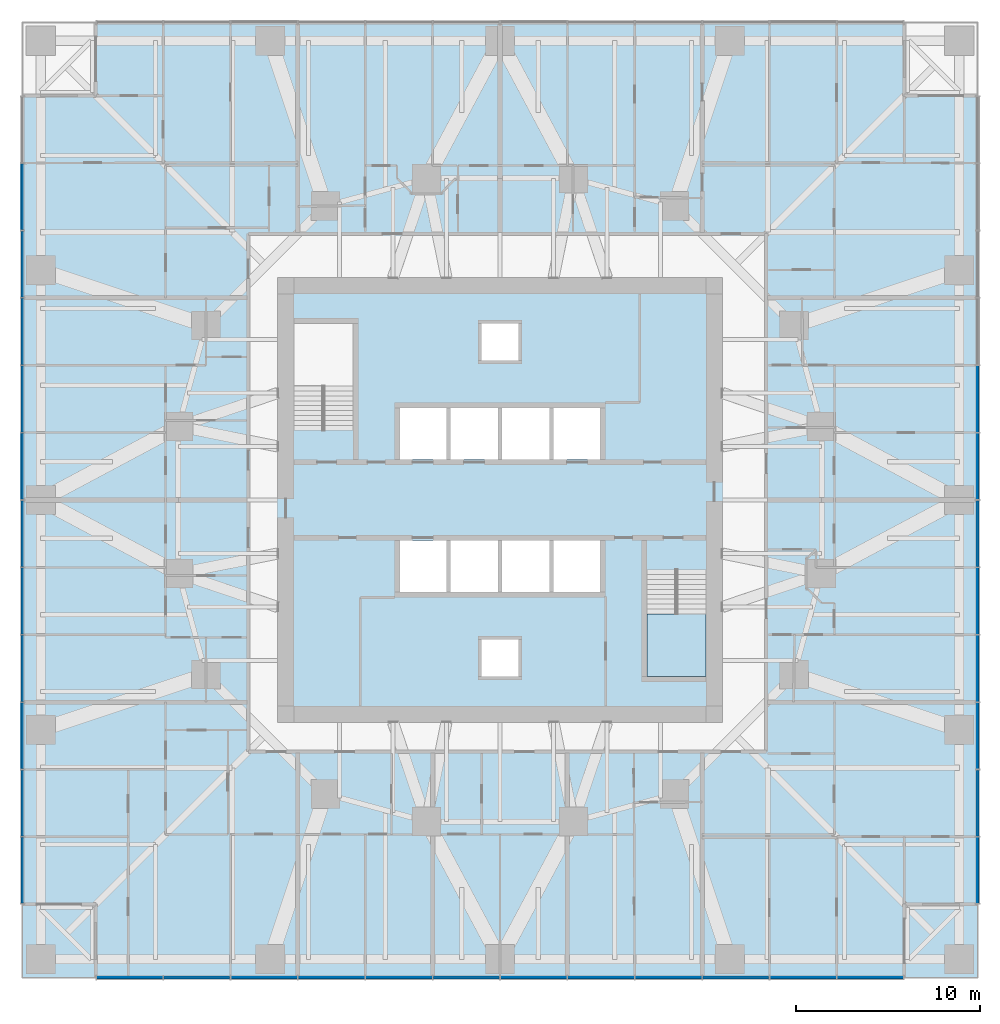
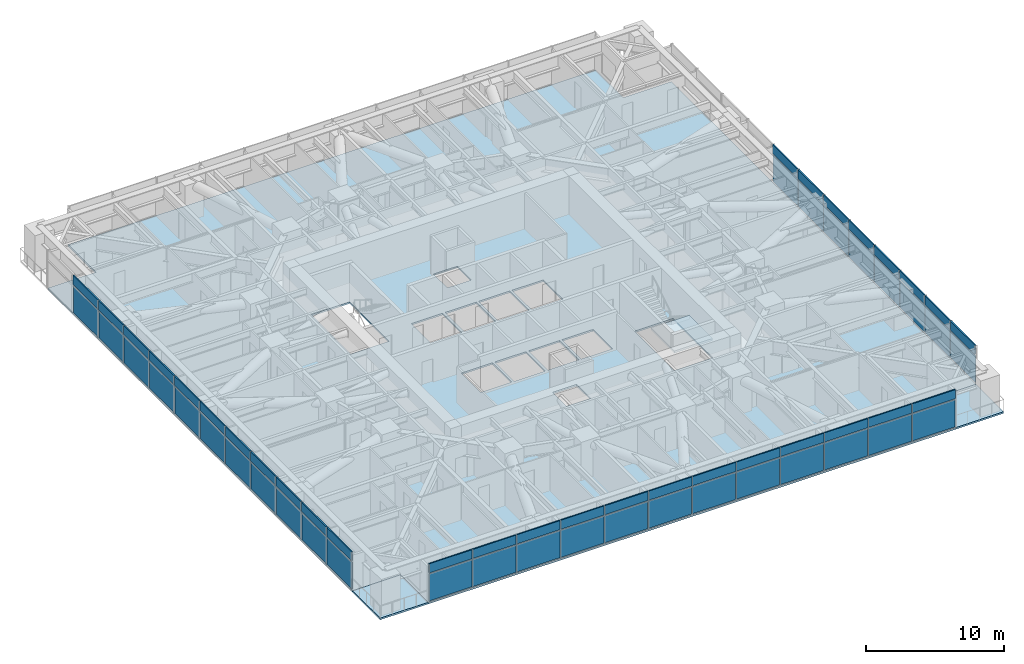
# One storey, part 8 of 17: 62 plates, 4 slabs, 4 elements without a shape of their own.
"""IFC4 building model written with IfcOpenShell, lengths in metres."""

from ifc_helpers import new_model, si_unit, direction, frame, origin, origin_2d, place, context, subcontext, project, spatial, polyline, rectangle, outline, extrude, material, layer, layer_set, type_object, element, aggregate, save


model = new_model("IFC4")

# Units and contexts
model_context = context("Model", 3, precision=1e-05, world=origin(), true_north=direction((0.0, 1.0)))
body_context = subcontext(model_context, "Body", "Model", "MODEL_VIEW")
ifc_project = project(units=[si_unit("LENGTHUNIT", "METRE"), si_unit("AREAUNIT", "SQUARE_METRE"), si_unit("VOLUMEUNIT", "CUBIC_METRE"), si_unit("PLANEANGLEUNIT", "RADIAN"), si_unit("MASSUNIT", "GRAM", prefix="KILO")], contexts=[model_context])

# Site, building, storey
site_placement = place(None, origin())
site = spatial("IfcSite", under=ifc_project, at=site_placement, CompositionType="ELEMENT")
building_placement = place(site_placement, origin())
building = spatial("IfcBuilding", under=site, at=building_placement, Name="Torsade Residences", CompositionType="ELEMENT")
storey_placement = place(building_placement, frame((0.0, 0.0, 38.800048828125)))
storey = spatial("IfcBuildingStorey", under=building, at=storey_placement, Name="L10", CompositionType="ELEMENT", Elevation=38.800048828125)

# Slab
ifc_material_1 = material(Name="Concrete 40 MPa", Category="concrete")
ifc_layer_1 = layer(ifc_material_1, 0.14990234375)
ifc_layer_set_1 = layer_set([ifc_layer_1], Name="Concrete 40 MPa")
slab_type_1 = type_object("IfcSlabType", Name="COMPOSITE FLOOR SLAB 150", PredefinedType="FLOOR", material=ifc_layer_set_1)
slab_1_placement = place(storey_placement, frame((0.0, 0.0, -0.150146484375)))
element("IfcSlab", 1, at=slab_1_placement, inside=storey, type_object=slab_type_1, Name="Floor slab L10", PredefinedType="FLOOR", context=body_context, shape_type="SweptSolid", body=[
    extrude(outline(polyline([(18.0, 4.0), (62.0, 4.0), (62.0, 8.0), (66.0, 8.0), (66.0, 52.0), (62.0, 52.0), (62.0, 56.0), (18.0, 56.0), (18.0, 52.0), (14.0, 52.0), (14.0, 8.0), (18.0, 8.0), (18.0, 4.0)]), holes=[polyline([(51.199951171875, 20.39990234375), (51.199951171875, 26.1201171875), (48.0, 26.1201171875), (48.0, 20.39990234375), (51.199951171875, 20.39990234375)]), polyline([(45.5, 27.800048828125), (42.89990234375, 27.800048828125), (42.89990234375, 25.0), (45.5, 25.0), (45.5, 27.800048828125)]), polyline([(45.5, 32.199951171875), (45.5, 35.0), (42.89990234375, 35.0), (42.89990234375, 32.199951171875), (45.5, 32.199951171875)]), polyline([(42.699951171875, 25.0), (42.699951171875, 27.800048828125), (40.10009765625, 27.800048828125), (40.10009765625, 25.0), (42.699951171875, 25.0)]), polyline([(42.699951171875, 32.199951171875), (42.699951171875, 35.0), (40.10009765625, 35.0), (40.10009765625, 32.199951171875), (42.699951171875, 32.199951171875)]), polyline([(41.0, 22.39990234375), (39.0, 22.39990234375), (39.0, 20.39990234375), (41.0, 20.39990234375), (41.0, 22.39990234375)]), polyline([(41.0, 37.60009765625), (41.0, 39.60009765625), (39.0, 39.60009765625), (39.0, 37.60009765625), (41.0, 37.60009765625)]), polyline([(39.89990234375, 25.0), (39.89990234375, 27.800048828125), (37.300048828125, 27.800048828125), (37.300048828125, 25.0), (39.89990234375, 25.0)]), polyline([(39.89990234375, 35.0), (37.300048828125, 35.0), (37.300048828125, 32.199951171875), (39.89990234375, 32.199951171875), (39.89990234375, 35.0)]), polyline([(37.10009765625, 27.800048828125), (34.5, 27.800048828125), (34.5, 25.0), (37.10009765625, 25.0), (37.10009765625, 27.800048828125)]), polyline([(37.10009765625, 32.199951171875), (37.10009765625, 35.0), (34.5, 35.0), (34.5, 32.199951171875), (37.10009765625, 32.199951171875)]), polyline([(32.0, 33.8798828125), (32.0, 39.60009765625), (28.800048828125, 39.60009765625), (28.800048828125, 33.8798828125), (32.0, 33.8798828125)])]), origin(), (0.0, 0.0, 1.0), 0.150146484375),
])

# Curtain wall, plates
ifc_material_2 = material(Name="Aluminium and glass", Category="aluminium")
curtain_wall_type = type_object("IfcCurtainWallType", Name="FRITTED GLASS CURTAIN WALL LOW ZONE", PredefinedType="NOTDEFINED", material=ifc_material_2)
curtain_wall_1_placement = place(storey_placement, origin())
curtain_wall_1 = element("IfcCurtainWall", 2, at=curtain_wall_1_placement, inside=storey, type_object=curtain_wall_type, Name="Curtain wall L10 face 1", PredefinedType="NOTDEFINED")
ifc_material_3 = material(Name="Laminated glass", Category="glass")
ifc_layer_2 = layer(ifc_material_3, 0.031982421875)
ifc_layer_set_2 = layer_set([ifc_layer_2], Name="Laminated glass")
plate_type_1 = type_object("IfcPlateType", Name="FRITTED GLASS PANEL", PredefinedType="CURTAIN_PANEL", material=ifc_layer_set_2)
plate_1_placement = place(storey_placement, frame((19.849609375, 4.0, 0.10009765625), z_axis=(0.0, 0.0, 1.0), x_axis=(1.0, 0.0, 0.0)))
plate_1 = element("IfcPlate", 3, at=plate_1_placement, type_object=plate_type_1, Name="Panel 1", PredefinedType="CURTAIN_PANEL", context=body_context, shape_type="SweptSolid", body=[
    extrude(rectangle(XDim=3.569091796875, YDim=0.031982421875, at=origin_2d()), origin(), (0.0, 0.0, 1.0), 2.39990234375),
])
plate_2_placement = place(storey_placement, frame((27.166748046875, 4.0, 0.10009765625), z_axis=(0.0, 0.0, 1.0), x_axis=(1.0, 0.0, 0.0)))
plate_2 = element("IfcPlate", 4, at=plate_2_placement, type_object=plate_type_1, Name="Panel 3", PredefinedType="CURTAIN_PANEL", context=body_context, shape_type="SweptSolid", body=[
    extrude(rectangle(XDim=3.6015625, YDim=0.031982421875, at=origin_2d()), origin(), (0.0, 0.0, 1.0), 2.39990234375),
])
plate_3_placement = place(storey_placement, frame((30.833251953125, 4.0, 0.10009765625), z_axis=(0.0, 0.0, 1.0), x_axis=(1.0, 0.0, 0.0)))
plate_3 = element("IfcPlate", 5, at=plate_3_placement, type_object=plate_type_1, Name="Panel 4", PredefinedType="CURTAIN_PANEL", context=body_context, shape_type="SweptSolid", body=[
    extrude(rectangle(XDim=3.6015625, YDim=0.031982421875, at=origin_2d()), origin(), (0.0, 0.0, 1.0), 2.39990234375),
])
plate_4_placement = place(storey_placement, frame((34.5, 4.0, 0.10009765625), z_axis=(0.0, 0.0, 1.0), x_axis=(1.0, 0.0, 0.0)))
plate_4 = element("IfcPlate", 6, at=plate_4_placement, type_object=plate_type_1, Name="Panel 5", PredefinedType="CURTAIN_PANEL", context=body_context, shape_type="SweptSolid", body=[
    extrude(rectangle(XDim=3.6015625, YDim=0.031982421875, at=origin_2d()), origin(), (0.0, 0.0, 1.0), 2.39990234375),
])
plate_5_placement = place(storey_placement, frame((41.833251953125, 4.0, 0.10009765625), z_axis=(0.0, 0.0, 1.0), x_axis=(1.0, 0.0, 0.0)))
plate_5 = element("IfcPlate", 7, at=plate_5_placement, type_object=plate_type_1, Name="Panel 7", PredefinedType="CURTAIN_PANEL", context=body_context, shape_type="SweptSolid", body=[
    extrude(rectangle(XDim=3.6015625, YDim=0.031982421875, at=origin_2d()), origin(), (0.0, 0.0, 1.0), 2.39990234375),
])
plate_6_placement = place(storey_placement, frame((45.5, 4.0, 0.10009765625), z_axis=(0.0, 0.0, 1.0), x_axis=(1.0, 0.0, 0.0)))
plate_6 = element("IfcPlate", 8, at=plate_6_placement, type_object=plate_type_1, Name="Panel 8", PredefinedType="CURTAIN_PANEL", context=body_context, shape_type="SweptSolid", body=[
    extrude(rectangle(XDim=3.6015625, YDim=0.031982421875, at=origin_2d()), origin(), (0.0, 0.0, 1.0), 2.39990234375),
])
plate_7_placement = place(storey_placement, frame((49.166748046875, 4.0, 0.10009765625), z_axis=(0.0, 0.0, 1.0), x_axis=(1.0, 0.0, 0.0)))
plate_7 = element("IfcPlate", 9, at=plate_7_placement, type_object=plate_type_1, Name="Panel 9", PredefinedType="CURTAIN_PANEL", context=body_context, shape_type="SweptSolid", body=[
    extrude(rectangle(XDim=3.6015625, YDim=0.031982421875, at=origin_2d()), origin(), (0.0, 0.0, 1.0), 2.39990234375),
])
plate_8_placement = place(storey_placement, frame((56.5, 4.0, 0.10009765625), z_axis=(0.0, 0.0, 1.0), x_axis=(1.0, 0.0, 0.0)))
plate_8 = element("IfcPlate", 10, at=plate_8_placement, type_object=plate_type_1, Name="Panel 11", PredefinedType="CURTAIN_PANEL", context=body_context, shape_type="SweptSolid", body=[
    extrude(rectangle(XDim=3.6015625, YDim=0.031982421875, at=origin_2d()), origin(), (0.0, 0.0, 1.0), 2.39990234375),
])
plate_9_placement = place(storey_placement, frame((60.150390625, 4.0, 0.10009765625), z_axis=(0.0, 0.0, 1.0), x_axis=(1.0, 0.0, 0.0)))
plate_9 = element("IfcPlate", 11, at=plate_9_placement, type_object=plate_type_1, Name="Panel 12", PredefinedType="CURTAIN_PANEL", context=body_context, shape_type="SweptSolid", body=[
    extrude(rectangle(XDim=3.569091796875, YDim=0.031982421875, at=origin_2d()), origin(), (0.0, 0.0, 1.0), 2.39990234375),
])

curtain_wall_2_placement = place(storey_placement, origin())
curtain_wall_2 = element("IfcCurtainWall", 12, at=curtain_wall_2_placement, inside=storey, type_object=curtain_wall_type, Name="Curtain wall L10 face 4", PredefinedType="NOTDEFINED")
plate_10_placement = place(storey_placement, frame((66.0, 9.849609375, 0.10009765625), z_axis=(0.0, 0.0, 1.0), x_axis=(0.0, 1.0, 0.0)))
plate_10 = element("IfcPlate", 13, at=plate_10_placement, type_object=plate_type_1, Name="Panel 1", PredefinedType="CURTAIN_PANEL", context=body_context, shape_type="SweptSolid", body=[
    extrude(rectangle(XDim=3.569091796875, YDim=0.031982421875, at=origin_2d()), origin(), (0.0, 0.0, 1.0), 2.39990234375),
])
plate_11_placement = place(storey_placement, frame((66.0, 17.166748046875, 0.10009765625), z_axis=(0.0, 0.0, 1.0), x_axis=(0.0, 1.0, 0.0)))
plate_11 = element("IfcPlate", 14, at=plate_11_placement, type_object=plate_type_1, Name="Panel 3", PredefinedType="CURTAIN_PANEL", context=body_context, shape_type="SweptSolid", body=[
    extrude(rectangle(XDim=3.6015625, YDim=0.031982421875, at=origin_2d()), origin(), (0.0, 0.0, 1.0), 2.39990234375),
])
plate_12_placement = place(storey_placement, frame((66.0, 20.833251953125, 0.10009765625), z_axis=(0.0, 0.0, 1.0), x_axis=(0.0, 1.0, 0.0)))
plate_12 = element("IfcPlate", 15, at=plate_12_placement, type_object=plate_type_1, Name="Panel 4", PredefinedType="CURTAIN_PANEL", context=body_context, shape_type="SweptSolid", body=[
    extrude(rectangle(XDim=3.6015625, YDim=0.031982421875, at=origin_2d()), origin(), (0.0, 0.0, 1.0), 2.39990234375),
])
plate_13_placement = place(storey_placement, frame((66.0, 24.5, 0.10009765625), z_axis=(0.0, 0.0, 1.0), x_axis=(0.0, 1.0, 0.0)))
plate_13 = element("IfcPlate", 16, at=plate_13_placement, type_object=plate_type_1, Name="Panel 5", PredefinedType="CURTAIN_PANEL", context=body_context, shape_type="SweptSolid", body=[
    extrude(rectangle(XDim=3.6015625, YDim=0.031982421875, at=origin_2d()), origin(), (0.0, 0.0, 1.0), 2.39990234375),
])
plate_14_placement = place(storey_placement, frame((66.0, 31.833251953125, 0.10009765625), z_axis=(0.0, 0.0, 1.0), x_axis=(0.0, 1.0, 0.0)))
plate_14 = element("IfcPlate", 17, at=plate_14_placement, type_object=plate_type_1, Name="Panel 7", PredefinedType="CURTAIN_PANEL", context=body_context, shape_type="SweptSolid", body=[
    extrude(rectangle(XDim=3.6015625, YDim=0.031982421875, at=origin_2d()), origin(), (0.0, 0.0, 1.0), 2.39990234375),
])
plate_15_placement = place(storey_placement, frame((66.0, 35.5, 0.10009765625), z_axis=(0.0, 0.0, 1.0), x_axis=(0.0, 1.0, 0.0)))
plate_15 = element("IfcPlate", 18, at=plate_15_placement, type_object=plate_type_1, Name="Panel 8", PredefinedType="CURTAIN_PANEL", context=body_context, shape_type="SweptSolid", body=[
    extrude(rectangle(XDim=3.6015625, YDim=0.031982421875, at=origin_2d()), origin(), (0.0, 0.0, 1.0), 2.39990234375),
])

curtain_wall_3_placement = place(storey_placement, origin())
curtain_wall_3 = element("IfcCurtainWall", 19, at=curtain_wall_3_placement, inside=storey, type_object=curtain_wall_type, Name="Curtain wall L10 face 10", PredefinedType="NOTDEFINED")
plate_16_placement = place(storey_placement, frame((14.0, 42.833251953125, 0.10009765625), z_axis=(0.0, 0.0, 1.0), x_axis=(0.0, -1.0, 0.0)))
plate_16 = element("IfcPlate", 20, at=plate_16_placement, type_object=plate_type_1, Name="Panel 3", PredefinedType="CURTAIN_PANEL", context=body_context, shape_type="SweptSolid", body=[
    extrude(rectangle(XDim=3.6015625, YDim=0.031982421875, at=origin_2d()), origin(), (0.0, 0.0, 1.0), 2.39990234375),
])
plate_17_placement = place(storey_placement, frame((14.0, 39.166748046875, 0.10009765625), z_axis=(0.0, 0.0, 1.0), x_axis=(0.0, -1.0, 0.0)))
plate_17 = element("IfcPlate", 21, at=plate_17_placement, type_object=plate_type_1, Name="Panel 4", PredefinedType="CURTAIN_PANEL", context=body_context, shape_type="SweptSolid", body=[
    extrude(rectangle(XDim=3.6015625, YDim=0.031982421875, at=origin_2d()), origin(), (0.0, 0.0, 1.0), 2.39990234375),
])
plate_18_placement = place(storey_placement, frame((14.0, 35.5, 0.10009765625), z_axis=(0.0, 0.0, 1.0), x_axis=(0.0, -1.0, 0.0)))
plate_18 = element("IfcPlate", 22, at=plate_18_placement, type_object=plate_type_1, Name="Panel 5", PredefinedType="CURTAIN_PANEL", context=body_context, shape_type="SweptSolid", body=[
    extrude(rectangle(XDim=3.6015625, YDim=0.031982421875, at=origin_2d()), origin(), (0.0, 0.0, 1.0), 2.39990234375),
])
plate_19_placement = place(storey_placement, frame((14.0, 28.166748046875, 0.10009765625), z_axis=(0.0, 0.0, 1.0), x_axis=(0.0, -1.0, 0.0)))
plate_19 = element("IfcPlate", 23, at=plate_19_placement, type_object=plate_type_1, Name="Panel 7", PredefinedType="CURTAIN_PANEL", context=body_context, shape_type="SweptSolid", body=[
    extrude(rectangle(XDim=3.6015625, YDim=0.031982421875, at=origin_2d()), origin(), (0.0, 0.0, 1.0), 2.39990234375),
])
plate_20_placement = place(storey_placement, frame((14.0, 24.5, 0.10009765625), z_axis=(0.0, 0.0, 1.0), x_axis=(0.0, -1.0, 0.0)))
plate_20 = element("IfcPlate", 24, at=plate_20_placement, type_object=plate_type_1, Name="Panel 8", PredefinedType="CURTAIN_PANEL", context=body_context, shape_type="SweptSolid", body=[
    extrude(rectangle(XDim=3.6015625, YDim=0.031982421875, at=origin_2d()), origin(), (0.0, 0.0, 1.0), 2.39990234375),
])
plate_21_placement = place(storey_placement, frame((14.0, 20.833251953125, 0.10009765625), z_axis=(0.0, 0.0, 1.0), x_axis=(0.0, -1.0, 0.0)))
plate_21 = element("IfcPlate", 25, at=plate_21_placement, type_object=plate_type_1, Name="Panel 9", PredefinedType="CURTAIN_PANEL", context=body_context, shape_type="SweptSolid", body=[
    extrude(rectangle(XDim=3.6015625, YDim=0.031982421875, at=origin_2d()), origin(), (0.0, 0.0, 1.0), 2.39990234375),
])
plate_22_placement = place(storey_placement, frame((14.0, 13.5, 0.10009765625), z_axis=(0.0, 0.0, 1.0), x_axis=(0.0, -1.0, 0.0)))
plate_22 = element("IfcPlate", 26, at=plate_22_placement, type_object=plate_type_1, Name="Panel 11", PredefinedType="CURTAIN_PANEL", context=body_context, shape_type="SweptSolid", body=[
    extrude(rectangle(XDim=3.6015625, YDim=0.031982421875, at=origin_2d()), origin(), (0.0, 0.0, 1.0), 2.39990234375),
])
plate_23_placement = place(storey_placement, frame((14.0, 9.849609375, 0.10009765625), z_axis=(0.0, 0.0, 1.0), x_axis=(0.0, -1.0, 0.0)))
plate_23 = element("IfcPlate", 27, at=plate_23_placement, type_object=plate_type_1, Name="Panel 12", PredefinedType="CURTAIN_PANEL", context=body_context, shape_type="SweptSolid", body=[
    extrude(rectangle(XDim=3.569091796875, YDim=0.031982421875, at=origin_2d()), origin(), (0.0, 0.0, 1.0), 2.39990234375),
])

# Plate
ifc_material_4 = material(Name="Aluminium composite spandrel panel", Category="aluminium")
ifc_layer_3 = layer(ifc_material_4, 0.10009765625)
ifc_layer_set_3 = layer_set([ifc_layer_3], Name="Aluminium composite spandrel panel")
plate_type_2 = type_object("IfcPlateType", Name="OPAQUE SPANDREL PANEL", PredefinedType="CURTAIN_PANEL", material=ifc_layer_set_3)
plate_24_placement = place(storey_placement, frame((19.849609375, 4.0, 2.60009765625), z_axis=(0.0, 0.0, 1.0), x_axis=(1.0, 0.0, 0.0)))
plate_24 = element("IfcPlate", 28, at=plate_24_placement, type_object=plate_type_2, Name="Spandrel panel 1", PredefinedType="CURTAIN_PANEL", context=body_context, shape_type="SweptSolid", body=[
    extrude(rectangle(XDim=3.569091796875, YDim=0.10009765625, at=origin_2d()), origin(), (0.0, 0.0, 1.0), 0.800048828125),
])

plate_25_placement = place(storey_placement, frame((23.5, 4.0, 2.60009765625), z_axis=(0.0, 0.0, 1.0), x_axis=(1.0, 0.0, 0.0)))
plate_25 = element("IfcPlate", 29, at=plate_25_placement, type_object=plate_type_2, Name="Spandrel panel 2", PredefinedType="CURTAIN_PANEL", context=body_context, shape_type="SweptSolid", body=[
    extrude(rectangle(XDim=3.6015625, YDim=0.10009765625, at=origin_2d()), origin(), (0.0, 0.0, 1.0), 0.800048828125),
])

plate_26_placement = place(storey_placement, frame((27.166748046875, 4.0, 2.60009765625), z_axis=(0.0, 0.0, 1.0), x_axis=(1.0, 0.0, 0.0)))
plate_26 = element("IfcPlate", 30, at=plate_26_placement, type_object=plate_type_2, Name="Spandrel panel 3", PredefinedType="CURTAIN_PANEL", context=body_context, shape_type="SweptSolid", body=[
    extrude(rectangle(XDim=3.6015625, YDim=0.10009765625, at=origin_2d()), origin(), (0.0, 0.0, 1.0), 0.800048828125),
])

plate_27_placement = place(storey_placement, frame((30.833251953125, 4.0, 2.60009765625), z_axis=(0.0, 0.0, 1.0), x_axis=(1.0, 0.0, 0.0)))
plate_27 = element("IfcPlate", 31, at=plate_27_placement, type_object=plate_type_2, Name="Spandrel panel 4", PredefinedType="CURTAIN_PANEL", context=body_context, shape_type="SweptSolid", body=[
    extrude(rectangle(XDim=3.6015625, YDim=0.10009765625, at=origin_2d()), origin(), (0.0, 0.0, 1.0), 0.800048828125),
])

plate_28_placement = place(storey_placement, frame((34.5, 4.0, 2.60009765625), z_axis=(0.0, 0.0, 1.0), x_axis=(1.0, 0.0, 0.0)))
plate_28 = element("IfcPlate", 32, at=plate_28_placement, type_object=plate_type_2, Name="Spandrel panel 5", PredefinedType="CURTAIN_PANEL", context=body_context, shape_type="SweptSolid", body=[
    extrude(rectangle(XDim=3.6015625, YDim=0.10009765625, at=origin_2d()), origin(), (0.0, 0.0, 1.0), 0.800048828125),
])

plate_29_placement = place(storey_placement, frame((38.166748046875, 4.0, 2.60009765625), z_axis=(0.0, 0.0, 1.0), x_axis=(1.0, 0.0, 0.0)))
plate_29 = element("IfcPlate", 33, at=plate_29_placement, type_object=plate_type_2, Name="Spandrel panel 6", PredefinedType="CURTAIN_PANEL", context=body_context, shape_type="SweptSolid", body=[
    extrude(rectangle(XDim=3.6015625, YDim=0.10009765625, at=origin_2d()), origin(), (0.0, 0.0, 1.0), 0.800048828125),
])

plate_30_placement = place(storey_placement, frame((41.833251953125, 4.0, 2.60009765625), z_axis=(0.0, 0.0, 1.0), x_axis=(1.0, 0.0, 0.0)))
plate_30 = element("IfcPlate", 34, at=plate_30_placement, type_object=plate_type_2, Name="Spandrel panel 7", PredefinedType="CURTAIN_PANEL", context=body_context, shape_type="SweptSolid", body=[
    extrude(rectangle(XDim=3.6015625, YDim=0.10009765625, at=origin_2d()), origin(), (0.0, 0.0, 1.0), 0.800048828125),
])

plate_31_placement = place(storey_placement, frame((45.5, 4.0, 2.60009765625), z_axis=(0.0, 0.0, 1.0), x_axis=(1.0, 0.0, 0.0)))
plate_31 = element("IfcPlate", 35, at=plate_31_placement, type_object=plate_type_2, Name="Spandrel panel 8", PredefinedType="CURTAIN_PANEL", context=body_context, shape_type="SweptSolid", body=[
    extrude(rectangle(XDim=3.6015625, YDim=0.10009765625, at=origin_2d()), origin(), (0.0, 0.0, 1.0), 0.800048828125),
])

plate_32_placement = place(storey_placement, frame((49.166748046875, 4.0, 2.60009765625), z_axis=(0.0, 0.0, 1.0), x_axis=(1.0, 0.0, 0.0)))
plate_32 = element("IfcPlate", 36, at=plate_32_placement, type_object=plate_type_2, Name="Spandrel panel 9", PredefinedType="CURTAIN_PANEL", context=body_context, shape_type="SweptSolid", body=[
    extrude(rectangle(XDim=3.6015625, YDim=0.10009765625, at=origin_2d()), origin(), (0.0, 0.0, 1.0), 0.800048828125),
])

plate_33_placement = place(storey_placement, frame((52.833251953125, 4.0, 2.60009765625), z_axis=(0.0, 0.0, 1.0), x_axis=(1.0, 0.0, 0.0)))
plate_33 = element("IfcPlate", 37, at=plate_33_placement, type_object=plate_type_2, Name="Spandrel panel 10", PredefinedType="CURTAIN_PANEL", context=body_context, shape_type="SweptSolid", body=[
    extrude(rectangle(XDim=3.6015625, YDim=0.10009765625, at=origin_2d()), origin(), (0.0, 0.0, 1.0), 0.800048828125),
])

plate_34_placement = place(storey_placement, frame((56.5, 4.0, 2.60009765625), z_axis=(0.0, 0.0, 1.0), x_axis=(1.0, 0.0, 0.0)))
plate_34 = element("IfcPlate", 38, at=plate_34_placement, type_object=plate_type_2, Name="Spandrel panel 11", PredefinedType="CURTAIN_PANEL", context=body_context, shape_type="SweptSolid", body=[
    extrude(rectangle(XDim=3.6015625, YDim=0.10009765625, at=origin_2d()), origin(), (0.0, 0.0, 1.0), 0.800048828125),
])

plate_35_placement = place(storey_placement, frame((60.150390625, 4.0, 2.60009765625), z_axis=(0.0, 0.0, 1.0), x_axis=(1.0, 0.0, 0.0)))
plate_35 = element("IfcPlate", 39, at=plate_35_placement, type_object=plate_type_2, Name="Spandrel panel 12", PredefinedType="CURTAIN_PANEL", context=body_context, shape_type="SweptSolid", body=[
    extrude(rectangle(XDim=3.569091796875, YDim=0.10009765625, at=origin_2d()), origin(), (0.0, 0.0, 1.0), 0.800048828125),
])

plate_36_placement = place(storey_placement, frame((66.0, 9.849609375, 2.60009765625), z_axis=(0.0, 0.0, 1.0), x_axis=(0.0, 1.0, 0.0)))
plate_36 = element("IfcPlate", 40, at=plate_36_placement, type_object=plate_type_2, Name="Spandrel panel 1", PredefinedType="CURTAIN_PANEL", context=body_context, shape_type="SweptSolid", body=[
    extrude(rectangle(XDim=3.569091796875, YDim=0.10009765625, at=origin_2d()), origin(), (0.0, 0.0, 1.0), 0.800048828125),
])

plate_37_placement = place(storey_placement, frame((66.0, 13.5, 2.60009765625), z_axis=(0.0, 0.0, 1.0), x_axis=(0.0, 1.0, 0.0)))
plate_37 = element("IfcPlate", 41, at=plate_37_placement, type_object=plate_type_2, Name="Spandrel panel 2", PredefinedType="CURTAIN_PANEL", context=body_context, shape_type="SweptSolid", body=[
    extrude(rectangle(XDim=3.6015625, YDim=0.10009765625, at=origin_2d()), origin(), (0.0, 0.0, 1.0), 0.800048828125),
])

plate_38_placement = place(storey_placement, frame((66.0, 17.166748046875, 2.60009765625), z_axis=(0.0, 0.0, 1.0), x_axis=(0.0, 1.0, 0.0)))
plate_38 = element("IfcPlate", 42, at=plate_38_placement, type_object=plate_type_2, Name="Spandrel panel 3", PredefinedType="CURTAIN_PANEL", context=body_context, shape_type="SweptSolid", body=[
    extrude(rectangle(XDim=3.6015625, YDim=0.10009765625, at=origin_2d()), origin(), (0.0, 0.0, 1.0), 0.800048828125),
])

plate_39_placement = place(storey_placement, frame((66.0, 20.833251953125, 2.60009765625), z_axis=(0.0, 0.0, 1.0), x_axis=(0.0, 1.0, 0.0)))
plate_39 = element("IfcPlate", 43, at=plate_39_placement, type_object=plate_type_2, Name="Spandrel panel 4", PredefinedType="CURTAIN_PANEL", context=body_context, shape_type="SweptSolid", body=[
    extrude(rectangle(XDim=3.6015625, YDim=0.10009765625, at=origin_2d()), origin(), (0.0, 0.0, 1.0), 0.800048828125),
])

plate_40_placement = place(storey_placement, frame((66.0, 24.5, 2.60009765625), z_axis=(0.0, 0.0, 1.0), x_axis=(0.0, 1.0, 0.0)))
plate_40 = element("IfcPlate", 44, at=plate_40_placement, type_object=plate_type_2, Name="Spandrel panel 5", PredefinedType="CURTAIN_PANEL", context=body_context, shape_type="SweptSolid", body=[
    extrude(rectangle(XDim=3.6015625, YDim=0.10009765625, at=origin_2d()), origin(), (0.0, 0.0, 1.0), 0.800048828125),
])

plate_41_placement = place(storey_placement, frame((66.0, 28.166748046875, 2.60009765625), z_axis=(0.0, 0.0, 1.0), x_axis=(0.0, 1.0, 0.0)))
plate_41 = element("IfcPlate", 45, at=plate_41_placement, type_object=plate_type_2, Name="Spandrel panel 6", PredefinedType="CURTAIN_PANEL", context=body_context, shape_type="SweptSolid", body=[
    extrude(rectangle(XDim=3.6015625, YDim=0.10009765625, at=origin_2d()), origin(), (0.0, 0.0, 1.0), 0.800048828125),
])

plate_42_placement = place(storey_placement, frame((66.0, 31.833251953125, 2.60009765625), z_axis=(0.0, 0.0, 1.0), x_axis=(0.0, 1.0, 0.0)))
plate_42 = element("IfcPlate", 46, at=plate_42_placement, type_object=plate_type_2, Name="Spandrel panel 7", PredefinedType="CURTAIN_PANEL", context=body_context, shape_type="SweptSolid", body=[
    extrude(rectangle(XDim=3.6015625, YDim=0.10009765625, at=origin_2d()), origin(), (0.0, 0.0, 1.0), 0.800048828125),
])

plate_43_placement = place(storey_placement, frame((66.0, 35.5, 2.60009765625), z_axis=(0.0, 0.0, 1.0), x_axis=(0.0, 1.0, 0.0)))
plate_43 = element("IfcPlate", 47, at=plate_43_placement, type_object=plate_type_2, Name="Spandrel panel 8", PredefinedType="CURTAIN_PANEL", context=body_context, shape_type="SweptSolid", body=[
    extrude(rectangle(XDim=3.6015625, YDim=0.10009765625, at=origin_2d()), origin(), (0.0, 0.0, 1.0), 0.800048828125),
])

plate_44_placement = place(storey_placement, frame((14.0, 46.5, 2.60009765625), z_axis=(0.0, 0.0, 1.0), x_axis=(0.0, -1.0, 0.0)))
plate_44 = element("IfcPlate", 48, at=plate_44_placement, type_object=plate_type_2, Name="Spandrel panel 2", PredefinedType="CURTAIN_PANEL", context=body_context, shape_type="SweptSolid", body=[
    extrude(rectangle(XDim=3.6015625, YDim=0.10009765625, at=origin_2d()), origin(), (0.0, 0.0, 1.0), 0.800048828125),
])

plate_45_placement = place(storey_placement, frame((14.0, 42.833251953125, 2.60009765625), z_axis=(0.0, 0.0, 1.0), x_axis=(0.0, -1.0, 0.0)))
plate_45 = element("IfcPlate", 49, at=plate_45_placement, type_object=plate_type_2, Name="Spandrel panel 3", PredefinedType="CURTAIN_PANEL", context=body_context, shape_type="SweptSolid", body=[
    extrude(rectangle(XDim=3.6015625, YDim=0.10009765625, at=origin_2d()), origin(), (0.0, 0.0, 1.0), 0.800048828125),
])

plate_46_placement = place(storey_placement, frame((14.0, 39.166748046875, 2.60009765625), z_axis=(0.0, 0.0, 1.0), x_axis=(0.0, -1.0, 0.0)))
plate_46 = element("IfcPlate", 50, at=plate_46_placement, type_object=plate_type_2, Name="Spandrel panel 4", PredefinedType="CURTAIN_PANEL", context=body_context, shape_type="SweptSolid", body=[
    extrude(rectangle(XDim=3.6015625, YDim=0.10009765625, at=origin_2d()), origin(), (0.0, 0.0, 1.0), 0.800048828125),
])

plate_47_placement = place(storey_placement, frame((14.0, 35.5, 2.60009765625), z_axis=(0.0, 0.0, 1.0), x_axis=(0.0, -1.0, 0.0)))
plate_47 = element("IfcPlate", 51, at=plate_47_placement, type_object=plate_type_2, Name="Spandrel panel 5", PredefinedType="CURTAIN_PANEL", context=body_context, shape_type="SweptSolid", body=[
    extrude(rectangle(XDim=3.6015625, YDim=0.10009765625, at=origin_2d()), origin(), (0.0, 0.0, 1.0), 0.800048828125),
])

plate_48_placement = place(storey_placement, frame((14.0, 31.833251953125, 2.60009765625), z_axis=(0.0, 0.0, 1.0), x_axis=(0.0, -1.0, 0.0)))
plate_48 = element("IfcPlate", 52, at=plate_48_placement, type_object=plate_type_2, Name="Spandrel panel 6", PredefinedType="CURTAIN_PANEL", context=body_context, shape_type="SweptSolid", body=[
    extrude(rectangle(XDim=3.6015625, YDim=0.10009765625, at=origin_2d()), origin(), (0.0, 0.0, 1.0), 0.800048828125),
])

plate_49_placement = place(storey_placement, frame((14.0, 28.166748046875, 2.60009765625), z_axis=(0.0, 0.0, 1.0), x_axis=(0.0, -1.0, 0.0)))
plate_49 = element("IfcPlate", 53, at=plate_49_placement, type_object=plate_type_2, Name="Spandrel panel 7", PredefinedType="CURTAIN_PANEL", context=body_context, shape_type="SweptSolid", body=[
    extrude(rectangle(XDim=3.6015625, YDim=0.10009765625, at=origin_2d()), origin(), (0.0, 0.0, 1.0), 0.800048828125),
])

plate_50_placement = place(storey_placement, frame((14.0, 24.5, 2.60009765625), z_axis=(0.0, 0.0, 1.0), x_axis=(0.0, -1.0, 0.0)))
plate_50 = element("IfcPlate", 54, at=plate_50_placement, type_object=plate_type_2, Name="Spandrel panel 8", PredefinedType="CURTAIN_PANEL", context=body_context, shape_type="SweptSolid", body=[
    extrude(rectangle(XDim=3.6015625, YDim=0.10009765625, at=origin_2d()), origin(), (0.0, 0.0, 1.0), 0.800048828125),
])

plate_51_placement = place(storey_placement, frame((14.0, 20.833251953125, 2.60009765625), z_axis=(0.0, 0.0, 1.0), x_axis=(0.0, -1.0, 0.0)))
plate_51 = element("IfcPlate", 55, at=plate_51_placement, type_object=plate_type_2, Name="Spandrel panel 9", PredefinedType="CURTAIN_PANEL", context=body_context, shape_type="SweptSolid", body=[
    extrude(rectangle(XDim=3.6015625, YDim=0.10009765625, at=origin_2d()), origin(), (0.0, 0.0, 1.0), 0.800048828125),
])

plate_52_placement = place(storey_placement, frame((14.0, 17.166748046875, 2.60009765625), z_axis=(0.0, 0.0, 1.0), x_axis=(0.0, -1.0, 0.0)))
plate_52 = element("IfcPlate", 56, at=plate_52_placement, type_object=plate_type_2, Name="Spandrel panel 10", PredefinedType="CURTAIN_PANEL", context=body_context, shape_type="SweptSolid", body=[
    extrude(rectangle(XDim=3.6015625, YDim=0.10009765625, at=origin_2d()), origin(), (0.0, 0.0, 1.0), 0.800048828125),
])

plate_53_placement = place(storey_placement, frame((14.0, 13.5, 2.60009765625), z_axis=(0.0, 0.0, 1.0), x_axis=(0.0, -1.0, 0.0)))
plate_53 = element("IfcPlate", 57, at=plate_53_placement, type_object=plate_type_2, Name="Spandrel panel 11", PredefinedType="CURTAIN_PANEL", context=body_context, shape_type="SweptSolid", body=[
    extrude(rectangle(XDim=3.6015625, YDim=0.10009765625, at=origin_2d()), origin(), (0.0, 0.0, 1.0), 0.800048828125),
])

plate_54_placement = place(storey_placement, frame((14.0, 9.849609375, 2.60009765625), z_axis=(0.0, 0.0, 1.0), x_axis=(0.0, -1.0, 0.0)))
plate_54 = element("IfcPlate", 58, at=plate_54_placement, type_object=plate_type_2, Name="Spandrel panel 12", PredefinedType="CURTAIN_PANEL", context=body_context, shape_type="SweptSolid", body=[
    extrude(rectangle(XDim=3.569091796875, YDim=0.10009765625, at=origin_2d()), origin(), (0.0, 0.0, 1.0), 0.800048828125),
])

ifc_material_5 = material(Name="Laminated glass", Category="glass")
ifc_layer_4 = layer(ifc_material_5, 0.0400390625)
ifc_layer_set_4 = layer_set([ifc_layer_4], Name="Laminated glass")
plate_type_3 = type_object("IfcPlateType", Name="OPERABLE VENT PANEL", PredefinedType="CURTAIN_PANEL", material=ifc_layer_set_4)
plate_55_placement = place(storey_placement, frame((23.5, 4.0, 0.10009765625), z_axis=(0.0, 0.0, 1.0), x_axis=(1.0, 0.0, 0.0)))
plate_55 = element("IfcPlate", 59, at=plate_55_placement, type_object=plate_type_3, Name="Panel 2", PredefinedType="CURTAIN_PANEL", context=body_context, shape_type="SweptSolid", body=[
    extrude(rectangle(XDim=3.6015625, YDim=0.0400390625, at=origin_2d()), origin(), (0.0, 0.0, 1.0), 2.39990234375),
])

plate_56_placement = place(storey_placement, frame((38.166748046875, 4.0, 0.10009765625), z_axis=(0.0, 0.0, 1.0), x_axis=(1.0, 0.0, 0.0)))
plate_56 = element("IfcPlate", 60, at=plate_56_placement, type_object=plate_type_3, Name="Panel 6", PredefinedType="CURTAIN_PANEL", context=body_context, shape_type="SweptSolid", body=[
    extrude(rectangle(XDim=3.6015625, YDim=0.0400390625, at=origin_2d()), origin(), (0.0, 0.0, 1.0), 2.39990234375),
])

plate_57_placement = place(storey_placement, frame((52.833251953125, 4.0, 0.10009765625), z_axis=(0.0, 0.0, 1.0), x_axis=(1.0, 0.0, 0.0)))
plate_57 = element("IfcPlate", 61, at=plate_57_placement, type_object=plate_type_3, Name="Panel 10", PredefinedType="CURTAIN_PANEL", context=body_context, shape_type="SweptSolid", body=[
    extrude(rectangle(XDim=3.6015625, YDim=0.0400390625, at=origin_2d()), origin(), (0.0, 0.0, 1.0), 2.39990234375),
])

aggregate(curtain_wall_1, [plate_1, plate_24, plate_55, plate_25, plate_2, plate_26, plate_3, plate_27, plate_4, plate_28, plate_56, plate_29, plate_5, plate_30, plate_6, plate_31, plate_7, plate_32, plate_57, plate_33, plate_8, plate_34, plate_9, plate_35])

plate_58_placement = place(storey_placement, frame((66.0, 13.5, 0.10009765625), z_axis=(0.0, 0.0, 1.0), x_axis=(0.0, 1.0, 0.0)))
plate_58 = element("IfcPlate", 62, at=plate_58_placement, type_object=plate_type_3, Name="Panel 2", PredefinedType="CURTAIN_PANEL", context=body_context, shape_type="SweptSolid", body=[
    extrude(rectangle(XDim=3.6015625, YDim=0.0400390625, at=origin_2d()), origin(), (0.0, 0.0, 1.0), 2.39990234375),
])

plate_59_placement = place(storey_placement, frame((66.0, 28.166748046875, 0.10009765625), z_axis=(0.0, 0.0, 1.0), x_axis=(0.0, 1.0, 0.0)))
plate_59 = element("IfcPlate", 63, at=plate_59_placement, type_object=plate_type_3, Name="Panel 6", PredefinedType="CURTAIN_PANEL", context=body_context, shape_type="SweptSolid", body=[
    extrude(rectangle(XDim=3.6015625, YDim=0.0400390625, at=origin_2d()), origin(), (0.0, 0.0, 1.0), 2.39990234375),
])

aggregate(curtain_wall_2, [plate_10, plate_36, plate_58, plate_37, plate_11, plate_38, plate_12, plate_39, plate_13, plate_40, plate_59, plate_41, plate_14, plate_42, plate_15, plate_43])

plate_60_placement = place(storey_placement, frame((14.0, 46.5, 0.10009765625), z_axis=(0.0, 0.0, 1.0), x_axis=(0.0, -1.0, 0.0)))
plate_60 = element("IfcPlate", 64, at=plate_60_placement, type_object=plate_type_3, Name="Panel 2", PredefinedType="CURTAIN_PANEL", context=body_context, shape_type="SweptSolid", body=[
    extrude(rectangle(XDim=3.6015625, YDim=0.0400390625, at=origin_2d()), origin(), (0.0, 0.0, 1.0), 2.39990234375),
])

plate_61_placement = place(storey_placement, frame((14.0, 31.833251953125, 0.10009765625), z_axis=(0.0, 0.0, 1.0), x_axis=(0.0, -1.0, 0.0)))
plate_61 = element("IfcPlate", 65, at=plate_61_placement, type_object=plate_type_3, Name="Panel 6", PredefinedType="CURTAIN_PANEL", context=body_context, shape_type="SweptSolid", body=[
    extrude(rectangle(XDim=3.6015625, YDim=0.0400390625, at=origin_2d()), origin(), (0.0, 0.0, 1.0), 2.39990234375),
])

plate_62_placement = place(storey_placement, frame((14.0, 17.166748046875, 0.10009765625), z_axis=(0.0, 0.0, 1.0), x_axis=(0.0, -1.0, 0.0)))
plate_62 = element("IfcPlate", 66, at=plate_62_placement, type_object=plate_type_3, Name="Panel 10", PredefinedType="CURTAIN_PANEL", context=body_context, shape_type="SweptSolid", body=[
    extrude(rectangle(XDim=3.6015625, YDim=0.0400390625, at=origin_2d()), origin(), (0.0, 0.0, 1.0), 2.39990234375),
])

aggregate(curtain_wall_3, [plate_60, plate_44, plate_16, plate_45, plate_17, plate_46, plate_18, plate_47, plate_61, plate_48, plate_19, plate_49, plate_20, plate_50, plate_21, plate_51, plate_62, plate_52, plate_22, plate_53, plate_23, plate_54])

# Stair, slab
ifc_material_6 = material(Name="Precast concrete 40 MPa", Category="concrete")
stair_type = type_object("IfcStairType", Name="HALF-TURN FIRE STAIR 1500x3400", PredefinedType="HALF_TURN_STAIR", material=ifc_material_6)
stair_placement = place(storey_placement, origin())
stair = element("IfcStair", 67, at=stair_placement, inside=storey, type_object=stair_type, Name="Stair ST2 L10", PredefinedType="HALF_TURN_STAIR")
ifc_material_7 = material(Name="Precast concrete 40 MPa", Category="concrete")
ifc_layer_5 = layer(ifc_material_7, 0.179931640625)
ifc_layer_set_5 = layer_set([ifc_layer_5], Name="Precast concrete 40 MPa")
slab_type_2 = type_object("IfcSlabType", Name="PRECAST STAIR LANDING 180", PredefinedType="LANDING", material=ifc_layer_set_5)
slab_2_placement = place(storey_placement, frame((0.0, 0.0, 1.52001953125)))
slab_2 = element("IfcSlab", 68, at=slab_2_placement, type_object=slab_type_2, Name="ST2 landing 1", PredefinedType="LANDING", context=body_context, shape_type="SweptSolid", body=[
    extrude(outline(polyline([(48.0, 20.39990234375), (51.199951171875, 20.39990234375), (51.199951171875, 23.7900390625), (48.0, 23.7900390625), (48.0, 20.39990234375)])), origin(), (0.0, 0.0, 1.0), 0.179931640625),
])
aggregate(stair, [slab_2])

# Slabs
ifc_material_8 = material(Name="Concrete 40 MPa", Category="concrete")
ifc_layer_6 = layer(ifc_material_8, 0.14990234375)
ifc_layer_set_6 = layer_set([ifc_layer_6], Name="Concrete 40 MPa")
slab_type_3 = type_object("IfcSlabType", Name="TERRACE SLAB 150", PredefinedType="FLOOR", material=ifc_layer_set_6)
slab_3_placement = place(storey_placement, frame((0.0, 0.0, -0.150146484375)))
element("IfcSlab", 69, at=slab_3_placement, inside=storey, type_object=slab_type_3, Name="Corner terrace slab SE L10", PredefinedType="FLOOR", context=body_context, shape_type="SweptSolid", body=[
    extrude(outline(polyline([(62.0, 4.0), (66.0, 4.0), (66.0, 8.0), (62.0, 8.0), (62.0, 4.0)])), origin(), (0.0, 0.0, 1.0), 0.150146484375),
])
slab_4_placement = place(storey_placement, frame((0.0, 0.0, -0.150146484375)))
element("IfcSlab", 70, at=slab_4_placement, inside=storey, type_object=slab_type_3, Name="Corner terrace slab SW L10", PredefinedType="FLOOR", context=body_context, shape_type="SweptSolid", body=[
    extrude(outline(polyline([(14.0, 4.0), (18.0, 4.0), (18.0, 8.0), (14.0, 8.0), (14.0, 4.0)])), origin(), (0.0, 0.0, 1.0), 0.150146484375),
])

save(model, "model.ifc")
